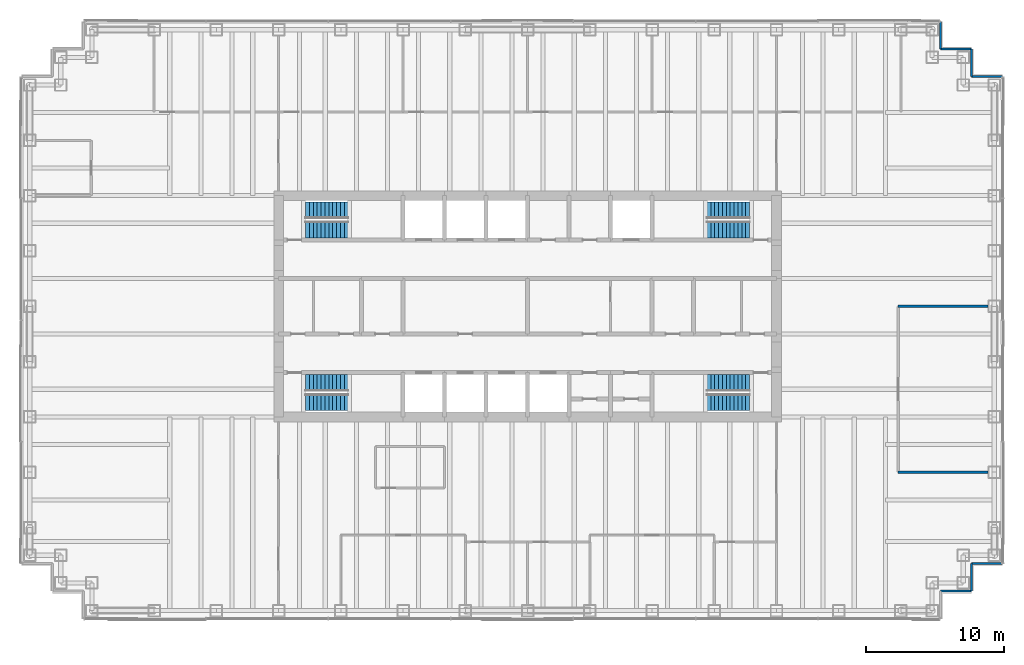
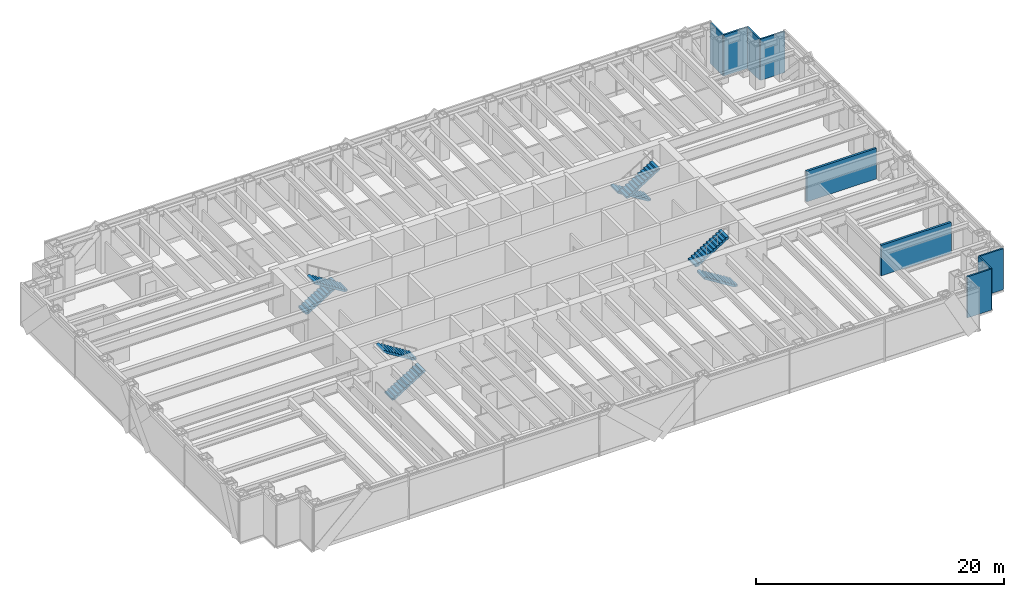
# One storey, part 14 of 15: 9 walls, 8 stair flights, 4 elements without a shape of their own.
"""IFC4 building model written with IfcOpenShell, lengths in metres."""

from ifc_helpers import new_model, si_unit, direction, frame, frame_2d, origin, place, context, subcontext, project, spatial, polyline, rectangle, outline, extrude, material, layer, layer_set, type_object, element, aggregate, save


model = new_model("IFC4")

# Units and contexts
model_context = context("Model", 3, precision=1e-05, world=origin(), true_north=direction((0.0, 1.0)))
body_context = subcontext(model_context, "Body", "Model", "MODEL_VIEW")
ifc_project = project(units=[si_unit("LENGTHUNIT", "METRE"), si_unit("AREAUNIT", "SQUARE_METRE"), si_unit("VOLUMEUNIT", "CUBIC_METRE"), si_unit("PLANEANGLEUNIT", "RADIAN"), si_unit("MASSUNIT", "GRAM", prefix="KILO")], contexts=[model_context])

# Site, building, storey
site_placement = place(None, origin())
site = spatial("IfcSite", under=ifc_project, at=site_placement, CompositionType="ELEMENT")
building_placement = place(site_placement, origin())
building = spatial("IfcBuilding", under=site, at=building_placement, Name="Rheinbord Bourse Tower", CompositionType="ELEMENT")
storey_placement = place(building_placement, frame((0.0, 0.0, 275.300048828125)))
storey = spatial("IfcBuildingStorey", under=building, at=storey_placement, Name="L62", CompositionType="ELEMENT", Elevation=275.300048828125)

# Walls
ifc_material_1 = material(Name="Acoustic gypsum board partition", Category="gypsum board")
ifc_layer_1 = layer(ifc_material_1, 0.199951171875)
ifc_layer_set_1 = layer_set([ifc_layer_1], Name="ACOUSTIC PARTITION 200")
wall_type_1 = type_object("IfcWallType", Name="ACOUSTIC PARTITION 200", PredefinedType="PARTITIONING", material=ifc_layer_set_1)
for number, where, z_axis, x_axis, name in (
    (1, (62.800048828125, 12.0, 0.0), (0.0, 0.0, 1.0), (1.0, 0.0, 0.0), "Partition L62-06"),
    (2, (62.800048828125, 24.0, 0.0), (0.0, 0.0, 1.0), (1.0, 0.0, 0.0), "Partition L62-08"),
):
    element("IfcWall", number, at=place(storey_placement, frame(where, z_axis=z_axis, x_axis=x_axis)), inside=storey, type_object=wall_type_1, Name=name, PredefinedType="PARTITIONING", context=body_context, shape_type="SweptSolid", body=[
        extrude(rectangle(XDim=6.5, YDim=0.199951171875, at=frame_2d((3.25, 0.0))), origin(), (0.0, 0.0, 1.0), 3.0),
    ])
ifc_material_2 = material(Name="Black metal rainscreen panel", Category="aluminium")
ifc_layer_2 = layer(ifc_material_2, 0.14990234375)
ifc_layer_set_2 = layer_set([ifc_layer_2], Name="CORNER PIER CLADDING 150")
wall_type_2 = type_object("IfcWallType", Name="CORNER PIER CLADDING 150", PredefinedType="ELEMENTEDWALL", material=ifc_layer_set_2)
wall_1_placement = place(storey_placement, frame((65.85009765625, 3.39990234375, 0.0), z_axis=(0.0, 0.0, 1.0), x_axis=(1.0, 0.0, 0.0)))
element("IfcWall", 3, at=wall_1_placement, inside=storey, type_object=wall_type_2, Name="Corner pier cladding L62 3", PredefinedType="ELEMENTEDWALL", context=body_context, shape_type="SweptSolid", body=[
    extrude(rectangle(XDim=2.25, YDim=0.14990234375, at=frame_2d((1.125, 0.0))), origin(), (0.0, 0.0, 1.0), 4.0400390625),
])
wall_2_placement = place(storey_placement, frame((68.10009765625, 3.39990234375, 0.0), z_axis=(0.0, 0.0, 1.0), x_axis=(0.0, 1.0, 0.0)))
element("IfcWall", 4, at=wall_2_placement, inside=storey, type_object=wall_type_2, Name="Corner pier cladding L62 4", PredefinedType="ELEMENTEDWALL", context=body_context, shape_type="SweptSolid", body=[
    extrude(rectangle(XDim=2.0, YDim=0.14990234375, at=frame_2d((1.0, 0.0))), origin(), (0.0, 0.0, 1.0), 4.0400390625),
])
for number, where, z_axis, x_axis, name in (
    (5, (68.10009765625, 5.39990234375, 0.0), (0.0, 0.0, 1.0), (1.0, 0.0, 0.0), "Corner pier cladding L62 5"),
    (6, (70.35009765625, 40.60009765625, 0.0), (0.0, 0.0, 1.0), (-1.0, 0.0, 0.0), "Corner pier cladding L62 7"),
):
    element("IfcWall", number, at=place(storey_placement, frame(where, z_axis=z_axis, x_axis=x_axis)), inside=storey, type_object=wall_type_2, Name=name, PredefinedType="ELEMENTEDWALL", context=body_context, shape_type="SweptSolid", body=[
        extrude(rectangle(XDim=2.25, YDim=0.14990234375, at=frame_2d((1.125, 0.0))), origin(), (0.0, 0.0, 1.0), 4.0400390625),
    ])
wall_3_placement = place(storey_placement, frame((68.10009765625, 40.60009765625, 0.0), z_axis=(0.0, 0.0, 1.0), x_axis=(0.0, 1.0, 0.0)))
element("IfcWall", 7, at=wall_3_placement, inside=storey, type_object=wall_type_2, Name="Corner pier cladding L62 8", PredefinedType="ELEMENTEDWALL", context=body_context, shape_type="SweptSolid", body=[
    extrude(rectangle(XDim=2.0, YDim=0.14990234375, at=frame_2d((1.0, 0.0))), origin(), (0.0, 0.0, 1.0), 4.0400390625),
])
wall_4_placement = place(storey_placement, frame((68.10009765625, 42.60009765625, 0.0), z_axis=(0.0, 0.0, 1.0), x_axis=(-1.0, 0.0, 0.0)))
element("IfcWall", 8, at=wall_4_placement, inside=storey, type_object=wall_type_2, Name="Corner pier cladding L62 9", PredefinedType="ELEMENTEDWALL", context=body_context, shape_type="SweptSolid", body=[
    extrude(rectangle(XDim=2.25, YDim=0.14990234375, at=frame_2d((1.125, 0.0))), origin(), (0.0, 0.0, 1.0), 4.0400390625),
])
wall_5_placement = place(storey_placement, frame((65.85009765625, 42.60009765625, 0.0), z_axis=(0.0, 0.0, 1.0), x_axis=(0.0, 1.0, 0.0)))
element("IfcWall", 9, at=wall_5_placement, inside=storey, type_object=wall_type_2, Name="Corner pier cladding L62 10", PredefinedType="ELEMENTEDWALL", context=body_context, shape_type="SweptSolid", body=[
    extrude(rectangle(XDim=2.0, YDim=0.14990234375, at=frame_2d((1.0, 0.0))), origin(), (0.0, 0.0, 1.0), 4.0400390625),
])

# Stair, stair flights
ifc_material_3 = material(Name="Concrete C30/37", Category="concrete")
stair_type = type_object("IfcStairType", Name="CORE STAIR HALF TURN 4200", PredefinedType="HALF_TURN_STAIR", material=ifc_material_3)
stair_1_placement = place(storey_placement, origin())
stair_1 = element("IfcStair", 10, at=stair_1_placement, inside=storey, type_object=stair_type, Name="Stair ST1 L62, type CS6", PredefinedType="HALF_TURN_STAIR")
ifc_material_4 = material(Name="Concrete C30/37", Category="concrete")
stair_flight_type = type_object("IfcStairFlightType", Name="CORE STAIR FLIGHT 1200, 12 RISERS", PredefinedType="STRAIGHT", material=ifc_material_4)
stair_flight_1_placement = place(storey_placement, frame((19.949951171875, 17.050048828125, 0.0), z_axis=(0.0, 0.0, 1.0), x_axis=(1.0, 0.0, 0.0)))
stair_flight_1 = element("IfcStairFlight", 11, at=stair_flight_1_placement, type_object=stair_flight_type, Name="STAIR L62 ST1 F1", NumberOfRisers=12, NumberOfTreads=11, PredefinedType="STRAIGHT", RiserHeight=0.175, TreadLength=0.28, context=body_context, shape_type="SweptSolid", body=[
    extrude(outline(polyline([(0.0, 0.0), (0.0, 0.175048828125), (0.280029296875, 0.175048828125), (0.280029296875, 0.35009765625), (0.56005859375, 0.35009765625), (0.56005859375, 0.52490234375), (0.840087890625, 0.52490234375), (0.840087890625, 0.699951171875), (1.1201171875, 0.699951171875), (1.1201171875, 0.875), (1.39990234375, 0.875), (1.39990234375, 1.050048828125), (1.679931640625, 1.050048828125), (1.679931640625, 1.22509765625), (1.9599609375, 1.22509765625), (1.9599609375, 1.39990234375), (2.239990234375, 1.39990234375), (2.239990234375, 1.574951171875), (2.52001953125, 1.574951171875), (2.52001953125, 1.75), (2.800048828125, 1.75), (2.800048828125, 1.925048828125), (3.080078125, 1.925048828125), (3.080078125, 2.10009765625), (3.080078125, 1.748291015625), (0.28271484375, 0.0), (0.0, 0.0)])), frame((0.0, 0.60009765625, 0.0), z_axis=(0.0, -1.0, 0.0), x_axis=(1.0, 0.0, 0.0)), (0.0, 0.0, 1.0), 1.199951171875),
])
stair_flight_2_placement = place(storey_placement, frame((23.030029296875, 18.449951171875, 2.099853515625), z_axis=(0.0, 0.0, 1.0), x_axis=(-1.0, 0.0, 0.0)))
stair_flight_2 = element("IfcStairFlight", 12, at=stair_flight_2_placement, type_object=stair_flight_type, Name="STAIR L62 ST1 F2", NumberOfRisers=12, NumberOfTreads=11, PredefinedType="STRAIGHT", RiserHeight=0.175, TreadLength=0.28, context=body_context, shape_type="SweptSolid", body=[
    extrude(outline(polyline([(0.0, 0.0), (0.0, 0.175048828125), (0.280029296875, 0.175048828125), (0.280029296875, 0.35009765625), (0.56005859375, 0.35009765625), (0.56005859375, 0.52490234375), (0.840087890625, 0.52490234375), (0.840087890625, 0.699951171875), (1.1201171875, 0.699951171875), (1.1201171875, 0.875), (1.39990234375, 0.875), (1.39990234375, 1.050048828125), (1.679931640625, 1.050048828125), (1.679931640625, 1.22509765625), (1.9599609375, 1.22509765625), (1.9599609375, 1.39990234375), (2.239990234375, 1.39990234375), (2.239990234375, 1.574951171875), (2.52001953125, 1.574951171875), (2.52001953125, 1.75), (2.800048828125, 1.75), (2.800048828125, 1.925048828125), (3.080078125, 1.925048828125), (3.080078125, 2.10009765625), (3.080078125, 1.748291015625), (0.28271484375, 0.0), (0.0, 0.0)])), frame((0.0, 0.60009765625, 0.0), z_axis=(0.0, -1.0, 0.0), x_axis=(1.0, 0.0, 0.0)), (0.0, 0.0, 1.0), 1.199951171875),
])
aggregate(stair_1, [stair_flight_1, stair_flight_2])

stair_2_placement = place(storey_placement, origin())
stair_2 = element("IfcStair", 13, at=stair_2_placement, inside=storey, type_object=stair_type, Name="Stair ST2 L62, type CS6", PredefinedType="HALF_TURN_STAIR")
stair_flight_3_placement = place(storey_placement, frame((19.949951171875, 30.949951171875, 0.0), z_axis=(0.0, 0.0, 1.0), x_axis=(1.0, 0.0, 0.0)))
stair_flight_3 = element("IfcStairFlight", 14, at=stair_flight_3_placement, type_object=stair_flight_type, Name="STAIR L62 ST2 F1", NumberOfRisers=12, NumberOfTreads=11, PredefinedType="STRAIGHT", RiserHeight=0.175, TreadLength=0.28, context=body_context, shape_type="SweptSolid", body=[
    extrude(outline(polyline([(0.0, 0.0), (0.0, 0.175048828125), (0.280029296875, 0.175048828125), (0.280029296875, 0.35009765625), (0.56005859375, 0.35009765625), (0.56005859375, 0.52490234375), (0.840087890625, 0.52490234375), (0.840087890625, 0.699951171875), (1.1201171875, 0.699951171875), (1.1201171875, 0.875), (1.39990234375, 0.875), (1.39990234375, 1.050048828125), (1.679931640625, 1.050048828125), (1.679931640625, 1.22509765625), (1.9599609375, 1.22509765625), (1.9599609375, 1.39990234375), (2.239990234375, 1.39990234375), (2.239990234375, 1.574951171875), (2.52001953125, 1.574951171875), (2.52001953125, 1.75), (2.800048828125, 1.75), (2.800048828125, 1.925048828125), (3.080078125, 1.925048828125), (3.080078125, 2.10009765625), (3.080078125, 1.748291015625), (0.28271484375, 0.0), (0.0, 0.0)])), frame((0.0, 0.60009765625, 0.0), z_axis=(0.0, -1.0, 0.0), x_axis=(1.0, 0.0, 0.0)), (0.0, 0.0, 1.0), 1.199951171875),
])
stair_flight_4_placement = place(storey_placement, frame((23.030029296875, 29.550048828125, 2.099853515625), z_axis=(0.0, 0.0, 1.0), x_axis=(-1.0, 0.0, 0.0)))
stair_flight_4 = element("IfcStairFlight", 15, at=stair_flight_4_placement, type_object=stair_flight_type, Name="STAIR L62 ST2 F2", NumberOfRisers=12, NumberOfTreads=11, PredefinedType="STRAIGHT", RiserHeight=0.175, TreadLength=0.28, context=body_context, shape_type="SweptSolid", body=[
    extrude(outline(polyline([(0.0, 0.0), (0.0, 0.175048828125), (0.280029296875, 0.175048828125), (0.280029296875, 0.35009765625), (0.56005859375, 0.35009765625), (0.56005859375, 0.52490234375), (0.840087890625, 0.52490234375), (0.840087890625, 0.699951171875), (1.1201171875, 0.699951171875), (1.1201171875, 0.875), (1.39990234375, 0.875), (1.39990234375, 1.050048828125), (1.679931640625, 1.050048828125), (1.679931640625, 1.22509765625), (1.9599609375, 1.22509765625), (1.9599609375, 1.39990234375), (2.239990234375, 1.39990234375), (2.239990234375, 1.574951171875), (2.52001953125, 1.574951171875), (2.52001953125, 1.75), (2.800048828125, 1.75), (2.800048828125, 1.925048828125), (3.080078125, 1.925048828125), (3.080078125, 2.10009765625), (3.080078125, 1.748291015625), (0.28271484375, 0.0), (0.0, 0.0)])), frame((0.0, 0.60009765625, 0.0), z_axis=(0.0, -1.0, 0.0), x_axis=(1.0, 0.0, 0.0)), (0.0, 0.0, 1.0), 1.199951171875),
])
aggregate(stair_2, [stair_flight_3, stair_flight_4])

stair_3_placement = place(storey_placement, origin())
stair_3 = element("IfcStair", 16, at=stair_3_placement, inside=storey, type_object=stair_type, Name="Stair ST3 L62, type CS6", PredefinedType="HALF_TURN_STAIR")
stair_flight_5_placement = place(storey_placement, frame((52.050048828125, 17.050048828125, 0.0), z_axis=(0.0, 0.0, 1.0), x_axis=(-1.0, 0.0, 0.0)))
stair_flight_5 = element("IfcStairFlight", 17, at=stair_flight_5_placement, type_object=stair_flight_type, Name="STAIR L62 ST3 F1", NumberOfRisers=12, NumberOfTreads=11, PredefinedType="STRAIGHT", RiserHeight=0.175, TreadLength=0.28, context=body_context, shape_type="SweptSolid", body=[
    extrude(outline(polyline([(0.0, 0.0), (0.0, 0.175048828125), (0.280029296875, 0.175048828125), (0.280029296875, 0.35009765625), (0.56005859375, 0.35009765625), (0.56005859375, 0.52490234375), (0.840087890625, 0.52490234375), (0.840087890625, 0.699951171875), (1.1201171875, 0.699951171875), (1.1201171875, 0.875), (1.39990234375, 0.875), (1.39990234375, 1.050048828125), (1.679931640625, 1.050048828125), (1.679931640625, 1.22509765625), (1.9599609375, 1.22509765625), (1.9599609375, 1.39990234375), (2.239990234375, 1.39990234375), (2.239990234375, 1.574951171875), (2.52001953125, 1.574951171875), (2.52001953125, 1.75), (2.800048828125, 1.75), (2.800048828125, 1.925048828125), (3.080078125, 1.925048828125), (3.080078125, 2.10009765625), (3.080078125, 1.748291015625), (0.28271484375, 0.0), (0.0, 0.0)])), frame((0.0, 0.60009765625, 0.0), z_axis=(0.0, -1.0, 0.0), x_axis=(1.0, 0.0, 0.0)), (0.0, 0.0, 1.0), 1.199951171875),
])
stair_flight_6_placement = place(storey_placement, frame((48.969970703125, 18.449951171875, 2.099853515625), z_axis=(0.0, 0.0, 1.0), x_axis=(1.0, 0.0, 0.0)))
stair_flight_6 = element("IfcStairFlight", 18, at=stair_flight_6_placement, type_object=stair_flight_type, Name="STAIR L62 ST3 F2", NumberOfRisers=12, NumberOfTreads=11, PredefinedType="STRAIGHT", RiserHeight=0.175, TreadLength=0.28, context=body_context, shape_type="SweptSolid", body=[
    extrude(outline(polyline([(0.0, 0.0), (0.0, 0.175048828125), (0.280029296875, 0.175048828125), (0.280029296875, 0.35009765625), (0.56005859375, 0.35009765625), (0.56005859375, 0.52490234375), (0.840087890625, 0.52490234375), (0.840087890625, 0.699951171875), (1.1201171875, 0.699951171875), (1.1201171875, 0.875), (1.39990234375, 0.875), (1.39990234375, 1.050048828125), (1.679931640625, 1.050048828125), (1.679931640625, 1.22509765625), (1.9599609375, 1.22509765625), (1.9599609375, 1.39990234375), (2.239990234375, 1.39990234375), (2.239990234375, 1.574951171875), (2.52001953125, 1.574951171875), (2.52001953125, 1.75), (2.800048828125, 1.75), (2.800048828125, 1.925048828125), (3.080078125, 1.925048828125), (3.080078125, 2.10009765625), (3.080078125, 1.748291015625), (0.28271484375, 0.0), (0.0, 0.0)])), frame((0.0, 0.60009765625, 0.0), z_axis=(0.0, -1.0, 0.0), x_axis=(1.0, 0.0, 0.0)), (0.0, 0.0, 1.0), 1.199951171875),
])
aggregate(stair_3, [stair_flight_5, stair_flight_6])

stair_4_placement = place(storey_placement, origin())
stair_4 = element("IfcStair", 19, at=stair_4_placement, inside=storey, type_object=stair_type, Name="Stair ST4 L62, type CS6", PredefinedType="HALF_TURN_STAIR")
stair_flight_7_placement = place(storey_placement, frame((52.050048828125, 30.949951171875, 0.0), z_axis=(0.0, 0.0, 1.0), x_axis=(-1.0, 0.0, 0.0)))
stair_flight_7 = element("IfcStairFlight", 20, at=stair_flight_7_placement, type_object=stair_flight_type, Name="STAIR L62 ST4 F1", NumberOfRisers=12, NumberOfTreads=11, PredefinedType="STRAIGHT", RiserHeight=0.175, TreadLength=0.28, context=body_context, shape_type="SweptSolid", body=[
    extrude(outline(polyline([(0.0, 0.0), (0.0, 0.175048828125), (0.280029296875, 0.175048828125), (0.280029296875, 0.35009765625), (0.56005859375, 0.35009765625), (0.56005859375, 0.52490234375), (0.840087890625, 0.52490234375), (0.840087890625, 0.699951171875), (1.1201171875, 0.699951171875), (1.1201171875, 0.875), (1.39990234375, 0.875), (1.39990234375, 1.050048828125), (1.679931640625, 1.050048828125), (1.679931640625, 1.22509765625), (1.9599609375, 1.22509765625), (1.9599609375, 1.39990234375), (2.239990234375, 1.39990234375), (2.239990234375, 1.574951171875), (2.52001953125, 1.574951171875), (2.52001953125, 1.75), (2.800048828125, 1.75), (2.800048828125, 1.925048828125), (3.080078125, 1.925048828125), (3.080078125, 2.10009765625), (3.080078125, 1.748291015625), (0.28271484375, 0.0), (0.0, 0.0)])), frame((0.0, 0.60009765625, 0.0), z_axis=(0.0, -1.0, 0.0), x_axis=(1.0, 0.0, 0.0)), (0.0, 0.0, 1.0), 1.199951171875),
])
stair_flight_8_placement = place(storey_placement, frame((48.969970703125, 29.550048828125, 2.099853515625), z_axis=(0.0, 0.0, 1.0), x_axis=(1.0, 0.0, 0.0)))
stair_flight_8 = element("IfcStairFlight", 21, at=stair_flight_8_placement, type_object=stair_flight_type, Name="STAIR L62 ST4 F2", NumberOfRisers=12, NumberOfTreads=11, PredefinedType="STRAIGHT", RiserHeight=0.175, TreadLength=0.28, context=body_context, shape_type="SweptSolid", body=[
    extrude(outline(polyline([(0.0, 0.0), (0.0, 0.175048828125), (0.280029296875, 0.175048828125), (0.280029296875, 0.35009765625), (0.56005859375, 0.35009765625), (0.56005859375, 0.52490234375), (0.840087890625, 0.52490234375), (0.840087890625, 0.699951171875), (1.1201171875, 0.699951171875), (1.1201171875, 0.875), (1.39990234375, 0.875), (1.39990234375, 1.050048828125), (1.679931640625, 1.050048828125), (1.679931640625, 1.22509765625), (1.9599609375, 1.22509765625), (1.9599609375, 1.39990234375), (2.239990234375, 1.39990234375), (2.239990234375, 1.574951171875), (2.52001953125, 1.574951171875), (2.52001953125, 1.75), (2.800048828125, 1.75), (2.800048828125, 1.925048828125), (3.080078125, 1.925048828125), (3.080078125, 2.10009765625), (3.080078125, 1.748291015625), (0.28271484375, 0.0), (0.0, 0.0)])), frame((0.0, 0.60009765625, 0.0), z_axis=(0.0, -1.0, 0.0), x_axis=(1.0, 0.0, 0.0)), (0.0, 0.0, 1.0), 1.199951171875),
])
aggregate(stair_4, [stair_flight_7, stair_flight_8])

save(model, "model.ifc")
